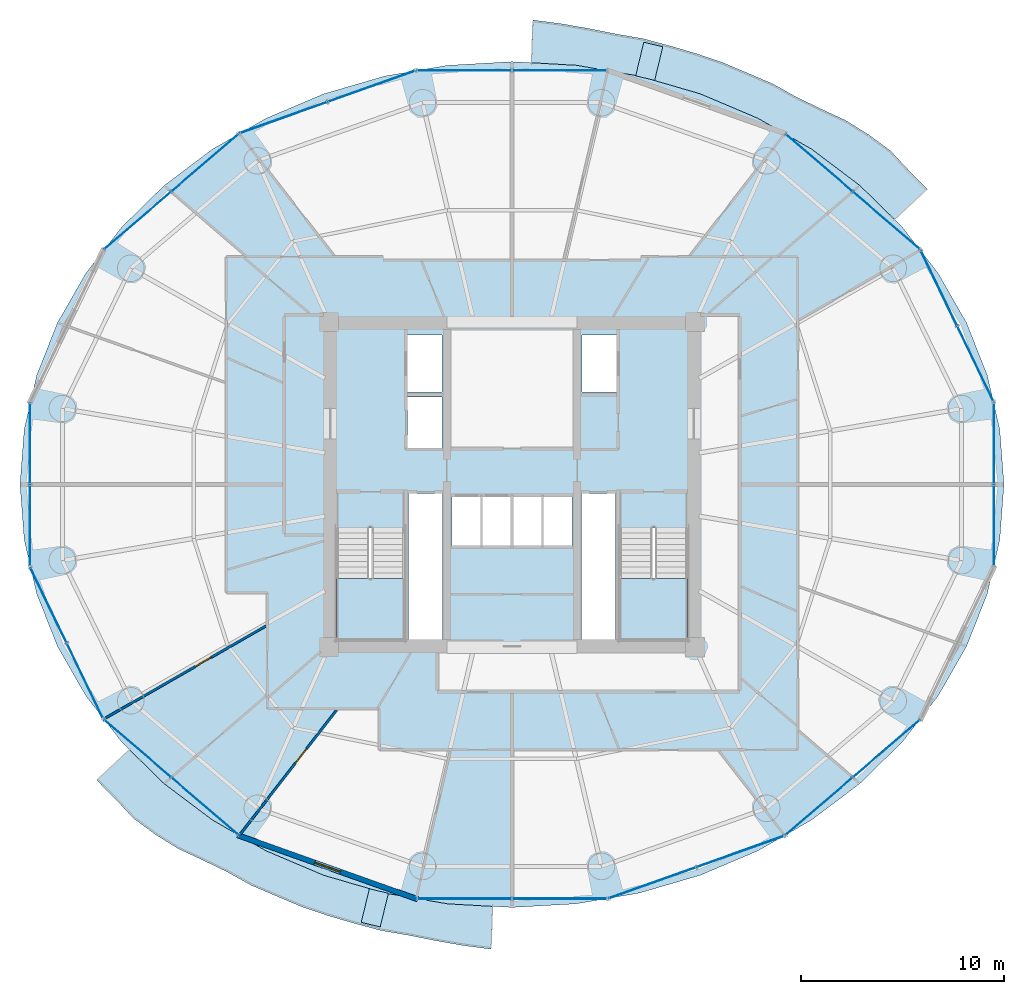
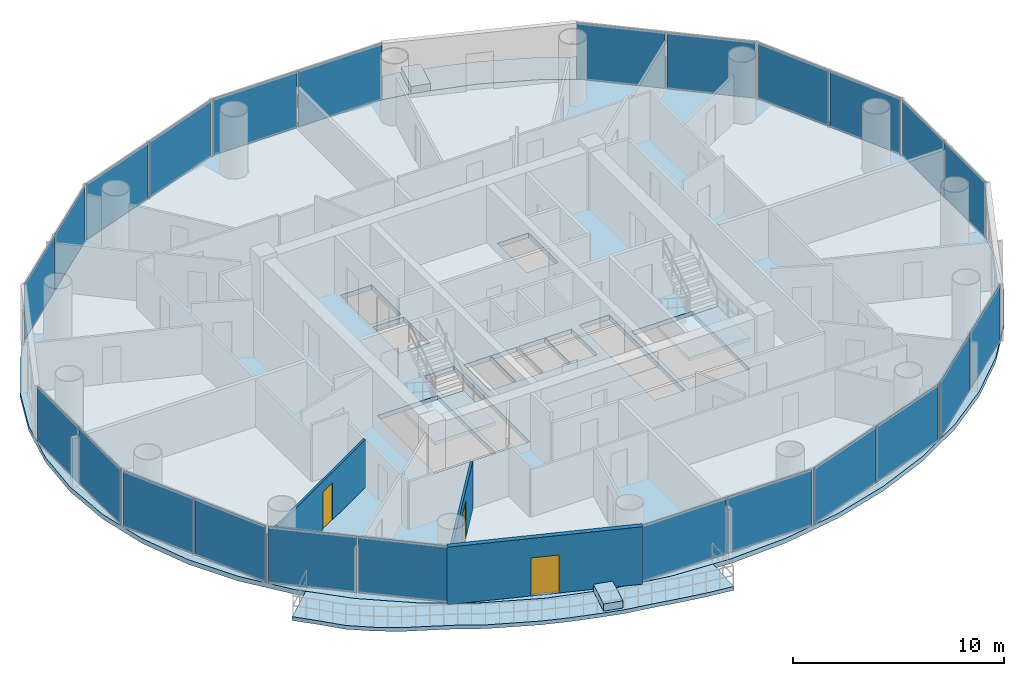
# One storey, part 20 of 27: 24 plates, 7 slabs, 3 doors, 3 walls, 3 openings, 14 elements without a shape of their own.
"""IFC4 building model written with IfcOpenShell, lengths in metres."""

from ifc_helpers import new_model, si_unit, direction, frame, frame_2d, origin, origin_2d, place, context, subcontext, project, spatial, polyline, rectangle, outline, extrude, source, transform, mapped, material, layer, layer_set, type_object, element, fill, aggregate, save


model = new_model("IFC4")

# Units and contexts
model_context = context("Model", 3, precision=1e-05, world=origin(), true_north=direction((-0.2419218956, 0.970295726276)))
body_context = subcontext(model_context, "Body", "Model", "MODEL_VIEW")
ifc_project = project(units=[si_unit("LENGTHUNIT", "METRE"), si_unit("AREAUNIT", "SQUARE_METRE"), si_unit("VOLUMEUNIT", "CUBIC_METRE"), si_unit("PLANEANGLEUNIT", "RADIAN"), si_unit("MASSUNIT", "GRAM", prefix="KILO")], contexts=[model_context])

# Site, building, storey
site_placement = place(None, origin())
site = spatial("IfcSite", under=ifc_project, at=site_placement, CompositionType="ELEMENT")
building_placement = place(site_placement, origin())
building = spatial("IfcBuilding", under=site, at=building_placement, Name="Cobrevalo Terracotta Tower", CompositionType="ELEMENT")
storey_placement = place(building_placement, frame((0.0, 0.0, 157.0)))
storey = spatial("IfcBuildingStorey", under=building, at=storey_placement, Name="L41", CompositionType="ELEMENT", Elevation=157.0)

# Stair, slab
ifc_material_1 = material(Name="Concrete C50", Category="concrete")
stair_type = type_object("IfcStairType", Name="Core protected escape dogleg stair 1600", PredefinedType="HALF_TURN_STAIR", material=ifc_material_1)
stair_1_placement = place(storey_placement, origin())
stair_1 = element("IfcStair", 1, at=stair_1_placement, inside=storey, type_object=stair_type, Name="L41 Protected exit stair ST-1", PredefinedType="HALF_TURN_STAIR")
ifc_layer_1 = layer(ifc_material_1, 0.199951171875)
ifc_layer_set_1 = layer_set([ifc_layer_1], Name="Concrete C50")
slab_type_1 = type_object("IfcSlabType", Name="Reinforced Concrete Stair Landing 200", PredefinedType="LANDING", material=ifc_layer_set_1)
slab_1_placement = place(storey_placement, frame((0.0, 0.0, 1.60009765625)))
slab_1 = element("IfcSlab", 2, at=slab_1_placement, type_object=slab_type_1, Name="ST-1 landing 1", PredefinedType="LANDING", context=body_context, shape_type="SweptSolid", body=[
    extrude(outline(polyline([(29.375, 22.179931640625), (29.375, 19.175048828125), (32.695068359375, 19.175048828125), (32.695068359375, 22.179931640625), (29.375, 22.179931640625)])), origin(), (0.0, 0.0, 1.0), 0.199951171875),
])
aggregate(stair_1, [slab_1])

stair_2_placement = place(storey_placement, origin())
stair_2 = element("IfcStair", 3, at=stair_2_placement, inside=storey, type_object=stair_type, Name="L41 Protected exit stair ST-2", PredefinedType="HALF_TURN_STAIR")
slab_2_placement = place(storey_placement, frame((0.0, 0.0, 1.60009765625)))
slab_2 = element("IfcSlab", 4, at=slab_2_placement, type_object=slab_type_1, Name="ST-2 landing 1", PredefinedType="LANDING", context=body_context, shape_type="SweptSolid", body=[
    extrude(outline(polyline([(43.304931640625, 22.179931640625), (43.304931640625, 19.175048828125), (46.625, 19.175048828125), (46.625, 22.179931640625), (43.304931640625, 22.179931640625)])), origin(), (0.0, 0.0, 1.0), 0.199951171875),
])
aggregate(stair_2, [slab_2])

# Slabs
ifc_material_2 = material(Name="Concrete C45", Category="concrete")
ifc_layer_2 = layer(ifc_material_2, 0.219970703125)
ifc_layer_set_2 = layer_set([ifc_layer_2], Name="Concrete C45")
slab_type_2 = type_object("IfcSlabType", Name="Spiralling cantilevered balcony lobe slab 220 mm", PredefinedType="FLOOR", material=ifc_layer_set_2)
slab_3_placement = place(storey_placement, frame((0.0, 0.0, -0.219970703125)))
element("IfcSlab", 5, at=slab_3_placement, inside=storey, type_object=slab_type_2, Name="L41 spiralling arc balcony slab lobe 1", PredefinedType="FLOOR", context=body_context, shape_type="SweptSolid", body=[
    extrude(outline(polyline([(58.435302734375, 41.33154296875), (57.51220703125, 42.260986328125), (56.614501953125, 43.219970703125), (55.5419921875, 44.01171875), (54.41064453125, 44.7138671875), (53.193603515625, 45.279296875), (51.990966796875, 45.860595703125), (50.83154296875, 46.509521484375), (49.593017578125, 47.03759765625), (48.353759765625, 47.561279296875), (47.073974609375, 47.99755859375), (45.76904296875, 48.37890625), (44.45654296875, 48.73291015625), (43.107177734375, 48.9658203125), (41.7626953125, 49.234375), (40.40478515625, 49.472412109375), (39.029541015625, 49.65087890625), (38.957763671875, 47.548095703125), (41.158935546875, 47.424072265625), (44.263916015625, 46.893310546875), (47.26171875, 46.0185546875), (50.10107421875, 44.81494140625), (52.733154296875, 43.30322265625), (55.11328125, 41.50927734375), (56.829345703125, 39.827392578125), (58.435302734375, 41.33154296875)])), origin(), (0.0, 0.0, 1.0), 0.219970703125),
])
slab_4_placement = place(storey_placement, frame((0.0, 0.0, -0.219970703125)))
element("IfcSlab", 6, at=slab_4_placement, inside=storey, type_object=slab_type_2, Name="L41 spiralling arc balcony slab lobe 2", PredefinedType="FLOOR", context=body_context, shape_type="SweptSolid", body=[
    extrude(outline(polyline([(17.564697265625, 12.2685546875), (18.48779296875, 11.339111328125), (19.385498046875, 10.380126953125), (20.4580078125, 9.588134765625), (21.58935546875, 8.88623046875), (22.806396484375, 8.32080078125), (24.009033203125, 7.739501953125), (25.16845703125, 7.090576171875), (26.406982421875, 6.5625), (27.646240234375, 6.038818359375), (28.926025390625, 5.602294921875), (30.23095703125, 5.22119140625), (31.54345703125, 4.8671875), (32.892822265625, 4.63427734375), (34.2373046875, 4.365478515625), (35.59521484375, 4.12744140625), (36.970458984375, 3.94921875), (37.042236328125, 6.052001953125), (34.841064453125, 6.176025390625), (31.736083984375, 6.706787109375), (28.73828125, 7.58154296875), (25.89892578125, 8.784912109375), (23.266845703125, 10.296630859375), (20.88671875, 12.0908203125), (19.170654296875, 13.772705078125), (17.564697265625, 12.2685546875)])), origin(), (0.0, 0.0, 1.0), 0.219970703125),
])
ifc_material_3 = material(Name="Precast concrete C45", Category="concrete")
ifc_layer_3 = layer(ifc_material_3, 0.419921875)
ifc_layer_set_3 = layer_set([ifc_layer_3], Name="Precast concrete C45")
slab_type_3 = type_object("IfcSlabType", Name="Structural tree planter trough base 420 mm", PredefinedType="USERDEFINED", material=ifc_layer_set_3)
slab_5_placement = place(storey_placement, origin())
element("IfcSlab", 7, at=slab_5_placement, inside=storey, type_object=slab_type_3, Name="L41 structural tree planter trough 1", ObjectType="PLANTER", PredefinedType="USERDEFINED", context=body_context, shape_type="SweptSolid", body=[
    extrude(outline(polyline([(45.015869140625, 46.68017578125), (45.41552734375, 48.33251953125), (44.482421875, 48.55810546875), (44.082763671875, 46.90576171875), (45.015869140625, 46.68017578125)])), origin(), (0.0, 0.0, 1.0), 0.419921875),
])
slab_6_placement = place(storey_placement, origin())
element("IfcSlab", 8, at=slab_6_placement, inside=storey, type_object=slab_type_3, Name="L41 structural tree planter trough 2", ObjectType="PLANTER", PredefinedType="USERDEFINED", context=body_context, shape_type="SweptSolid", body=[
    extrude(outline(polyline([(30.984130859375, 6.919921875), (30.58447265625, 5.267578125), (31.517578125, 5.041748046875), (31.917236328125, 6.694091796875), (30.984130859375, 6.919921875)])), origin(), (0.0, 0.0, 1.0), 0.419921875),
])
ifc_layer_4 = layer(ifc_material_1, 0.27001953125)
ifc_layer_set_4 = layer_set([ifc_layer_4], Name="Concrete C50")
slab_type_4 = type_object("IfcSlabType", Name="Zone Z3 elliptical floor plate 270 mm", PredefinedType="FLOOR", material=ifc_layer_set_4)
slab_7_placement = place(storey_placement, frame((0.0, 0.0, -0.27001953125)))
element("IfcSlab", 9, at=slab_7_placement, inside=storey, type_object=slab_type_4, Name="L41 indoor elliptical floor slab", PredefinedType="FLOOR", context=body_context, shape_type="SweptSolid", body=[
    extrude(outline(polyline([(61.992919921875, 24.0849609375), (61.37548828125, 21.41650390625), (60.35791015625, 18.840087890625), (58.957763671875, 16.39990234375), (57.19921875, 14.1376953125), (55.112060546875, 12.09228515625), (52.73193359375, 10.29833984375), (50.10009765625, 8.78662109375), (47.260986328125, 7.583251953125), (44.263427734375, 6.708740234375), (41.15869140625, 6.177978515625), (38.0, 6.0), (34.84130859375, 6.177978515625), (31.736572265625, 6.708740234375), (28.739013671875, 7.583251953125), (25.89990234375, 8.78662109375), (23.26806640625, 10.29833984375), (20.887939453125, 12.09228515625), (18.80078125, 14.1376953125), (17.042236328125, 16.39990234375), (15.64208984375, 18.840087890625), (14.62451171875, 21.41650390625), (14.007080078125, 24.0849609375), (13.800048828125, 26.800048828125), (14.007080078125, 29.514892578125), (14.62451171875, 32.183349609375), (15.64208984375, 34.759765625), (17.042236328125, 37.199951171875), (18.80078125, 39.462158203125), (20.887939453125, 41.5078125), (23.26806640625, 43.3017578125), (25.89990234375, 44.813232421875), (28.739013671875, 46.0166015625), (31.736572265625, 46.891357421875), (34.84130859375, 47.422119140625), (38.0, 47.60009765625), (41.15869140625, 47.422119140625), (44.263427734375, 46.891357421875), (47.260986328125, 46.0166015625), (50.10009765625, 44.813232421875), (52.73193359375, 43.3017578125), (55.112060546875, 41.5078125), (57.19921875, 39.462158203125), (58.957763671875, 37.199951171875), (60.35791015625, 34.759765625), (61.37548828125, 32.183349609375), (61.992919921875, 29.514892578125), (62.199951171875, 26.800048828125), (61.992919921875, 24.0849609375)]), holes=[polyline([(32.695068359375, 19.175048828125), (32.695068359375, 24.659912109375), (29.375, 24.659912109375), (29.375, 19.175048828125), (32.695068359375, 19.175048828125)]), polyline([(34.574951171875, 26.360107421875), (32.919921875, 26.360107421875), (32.919921875, 19.175048828125), (34.574951171875, 19.175048828125), (34.574951171875, 26.360107421875)]), polyline([(36.47998046875, 26.25), (35.050048828125, 26.25), (35.050048828125, 23.800048828125), (36.47998046875, 23.800048828125), (36.47998046875, 26.25)]), polyline([(37.9599609375, 23.800048828125), (37.9599609375, 26.25), (36.530029296875, 26.25), (36.530029296875, 23.800048828125), (37.9599609375, 23.800048828125)]), polyline([(34.550048828125, 28.60009765625), (34.550048828125, 31.10009765625), (32.85009765625, 31.10009765625), (32.85009765625, 28.60009765625), (34.550048828125, 28.60009765625)]), polyline([(34.550048828125, 34.14990234375), (32.85009765625, 34.14990234375), (32.85009765625, 31.35009765625), (34.550048828125, 31.35009765625), (34.550048828125, 34.14990234375)]), polyline([(43.304931640625, 19.175048828125), (46.625, 19.175048828125), (46.625, 24.659912109375), (43.304931640625, 24.659912109375), (43.304931640625, 19.175048828125)]), polyline([(43.080078125, 19.175048828125), (43.080078125, 26.360107421875), (41.425048828125, 26.360107421875), (41.425048828125, 19.175048828125), (43.080078125, 19.175048828125)]), polyline([(39.469970703125, 26.25), (38.0400390625, 26.25), (38.0400390625, 23.800048828125), (39.469970703125, 23.800048828125), (39.469970703125, 26.25)]), polyline([(40.949951171875, 23.800048828125), (40.949951171875, 26.25), (39.52001953125, 26.25), (39.52001953125, 23.800048828125), (40.949951171875, 23.800048828125)]), polyline([(43.14990234375, 31.35009765625), (43.14990234375, 34.14990234375), (41.449951171875, 34.14990234375), (41.449951171875, 31.35009765625), (43.14990234375, 31.35009765625)])]), origin(), (0.0, 0.0, 1.0), 0.27001953125),
])

# Curtain wall, plates
ifc_material_4 = material(Name="Anodized aluminium", Category="aluminium")
curtain_wall_type = type_object("IfcCurtainWallType", Name="Mid-tower high-wind unitised curtain wall CW-U2", PredefinedType="NOTDEFINED", material=ifc_material_4)
curtain_wall_1_placement = place(storey_placement, origin())
curtain_wall_1 = element("IfcCurtainWall", 10, at=curtain_wall_1_placement, inside=storey, type_object=curtain_wall_type, Name="L41 curtain wall CW-L41-S02", PredefinedType="NOTDEFINED")
ifc_material_5 = material(Name="Solar-control low-E double glazing", Category="glass")
ifc_layer_5 = layer(ifc_material_5, 0.028076171875)
ifc_layer_set_5 = layer_set([ifc_layer_5], Name="Solar-control low-E double glazing")
plate_type = type_object("IfcPlateType", Name="Tower solar-control low-E vision glass panel 28 mm", PredefinedType="CURTAIN_PANEL", material=ifc_layer_set_5)
shared_shape_1 = source(origin(), body_context, "Body", "SweptSolid", [
    extrude(rectangle(XDim=4.276123046875, YDim=0.035888671875, at=origin_2d()), origin(), (0.0, 0.0, 1.0), 3.25),
])
plate_1_placement = place(storey_placement, frame((56.414306640625, 39.784912109375, 0.0400390625), z_axis=(0.0, 0.0, 1.0), x_axis=(-0.758436996112, 0.651746363955, 0.0)))
plate_1 = element("IfcPlate", 11, at=plate_1_placement, type_object=plate_type, Name="CW-L41-S02 glazing panel B01", PredefinedType="CURTAIN_PANEL", context=body_context, shape_type="MappedRepresentation", body=[
    mapped(shared_shape_1, transform((0.0, 0.0, 0.0), scale=1.0)),
])
plate_2_placement = place(storey_placement, frame((53.1103515625, 42.6240234375, 0.0400390625), z_axis=(0.0, 0.0, 1.0), x_axis=(-0.758436996112, 0.651746363955, 0.0)))
plate_2 = element("IfcPlate", 12, at=plate_2_placement, type_object=plate_type, Name="CW-L41-S02 glazing panel B02", PredefinedType="CURTAIN_PANEL", context=body_context, shape_type="MappedRepresentation", body=[
    mapped(shared_shape_1, transform((0.0, 0.0, 0.0), scale=1.0)),
])
aggregate(curtain_wall_1, [plate_1, plate_2])

curtain_wall_2_placement = place(storey_placement, origin())
curtain_wall_2 = element("IfcCurtainWall", 13, at=curtain_wall_2_placement, inside=storey, type_object=curtain_wall_type, Name="L41 curtain wall CW-L41-S06", PredefinedType="NOTDEFINED")
plate_3_placement = place(storey_placement, frame((22.8896484375, 42.6240234375, 0.0400390625), z_axis=(0.0, 0.0, 1.0), x_axis=(-0.758436996112, -0.651746363955, 0.0)))
plate_3 = element("IfcPlate", 14, at=plate_3_placement, type_object=plate_type, Name="CW-L41-S06 glazing panel B01", PredefinedType="CURTAIN_PANEL", context=body_context, shape_type="MappedRepresentation", body=[
    mapped(shared_shape_1, transform((0.0, 0.0, 0.0), scale=1.0)),
])
plate_4_placement = place(storey_placement, frame((19.585693359375, 39.784912109375, 0.0400390625), z_axis=(0.0, 0.0, 1.0), x_axis=(-0.758436996112, -0.651746363955, 0.0)))
plate_4 = element("IfcPlate", 15, at=plate_4_placement, type_object=plate_type, Name="CW-L41-S06 glazing panel B02", PredefinedType="CURTAIN_PANEL", context=body_context, shape_type="MappedRepresentation", body=[
    mapped(shared_shape_1, transform((0.0, 0.0, 0.0), scale=1.0)),
])
aggregate(curtain_wall_2, [plate_3, plate_4])

curtain_wall_3_placement = place(storey_placement, origin())
curtain_wall_3 = element("IfcCurtainWall", 16, at=curtain_wall_3_placement, inside=storey, type_object=curtain_wall_type, Name="L41 curtain wall CW-L41-S10", PredefinedType="NOTDEFINED")
plate_5_placement = place(storey_placement, frame((19.585693359375, 13.815185546875, 0.0400390625), z_axis=(0.0, 0.0, 1.0), x_axis=(0.758436996112, -0.651746363955, 0.0)))
plate_5 = element("IfcPlate", 17, at=plate_5_placement, type_object=plate_type, Name="CW-L41-S10 glazing panel B01", PredefinedType="CURTAIN_PANEL", context=body_context, shape_type="MappedRepresentation", body=[
    mapped(shared_shape_1, transform((0.0, 0.0, 0.0), scale=1.0)),
])
plate_6_placement = place(storey_placement, frame((22.8896484375, 10.97607421875, 0.0400390625), z_axis=(0.0, 0.0, 1.0), x_axis=(0.758436996112, -0.651746363955, 0.0)))
plate_6 = element("IfcPlate", 18, at=plate_6_placement, type_object=plate_type, Name="CW-L41-S10 glazing panel B02", PredefinedType="CURTAIN_PANEL", context=body_context, shape_type="MappedRepresentation", body=[
    mapped(shared_shape_1, transform((0.0, 0.0, 0.0), scale=1.0)),
])
aggregate(curtain_wall_3, [plate_5, plate_6])

curtain_wall_4_placement = place(storey_placement, origin())
curtain_wall_4 = element("IfcCurtainWall", 19, at=curtain_wall_4_placement, inside=storey, type_object=curtain_wall_type, Name="L41 curtain wall CW-L41-S14", PredefinedType="NOTDEFINED")
plate_7_placement = place(storey_placement, frame((53.1103515625, 10.97607421875, 0.0400390625), z_axis=(0.0, 0.0, 1.0), x_axis=(0.758436996112, 0.651746363955, 0.0)))
plate_7 = element("IfcPlate", 20, at=plate_7_placement, type_object=plate_type, Name="CW-L41-S14 glazing panel B01", PredefinedType="CURTAIN_PANEL", context=body_context, shape_type="MappedRepresentation", body=[
    mapped(shared_shape_1, transform((0.0, 0.0, 0.0), scale=1.0)),
])
plate_8_placement = place(storey_placement, frame((56.414306640625, 13.815185546875, 0.0400390625), z_axis=(0.0, 0.0, 1.0), x_axis=(0.758436996112, 0.651746363955, 0.0)))
plate_8 = element("IfcPlate", 21, at=plate_8_placement, type_object=plate_type, Name="CW-L41-S14 glazing panel B02", PredefinedType="CURTAIN_PANEL", context=body_context, shape_type="MappedRepresentation", body=[
    mapped(shared_shape_1, transform((0.0, 0.0, 0.0), scale=1.0)),
])
aggregate(curtain_wall_4, [plate_7, plate_8])

curtain_wall_5_placement = place(storey_placement, origin())
curtain_wall_5 = element("IfcCurtainWall", 22, at=curtain_wall_5_placement, inside=storey, type_object=curtain_wall_type, Name="L41 curtain wall CW-L41-S04", PredefinedType="NOTDEFINED")
shared_shape_2 = source(origin(), body_context, "Body", "SweptSolid", [
    extrude(rectangle(XDim=4.59521484375, YDim=0.035888671875, at=origin_2d()), origin(), (0.0, 0.0, 1.0), 3.25),
])
plate_9_placement = place(storey_placement, frame((40.337646484375, 47.1708984375, 0.0400390625), z_axis=(0.0, 0.0, 1.0), x_axis=(-1.0, 0.0, 0.0)))
plate_9 = element("IfcPlate", 23, at=plate_9_placement, type_object=plate_type, Name="CW-L41-S04 glazing panel B01", PredefinedType="CURTAIN_PANEL", context=body_context, shape_type="MappedRepresentation", body=[
    mapped(shared_shape_2, transform((0.0, 0.0, 0.0), scale=1.0)),
])
plate_10_placement = place(storey_placement, frame((35.662353515625, 47.1708984375, 0.0400390625), z_axis=(0.0, 0.0, 1.0), x_axis=(-1.0, 0.0, 0.0)))
plate_10 = element("IfcPlate", 24, at=plate_10_placement, type_object=plate_type, Name="CW-L41-S04 glazing panel B02", PredefinedType="CURTAIN_PANEL", context=body_context, shape_type="MappedRepresentation", body=[
    mapped(shared_shape_2, transform((0.0, 0.0, 0.0), scale=1.0)),
])
aggregate(curtain_wall_5, [plate_9, plate_10])

curtain_wall_6_placement = place(storey_placement, origin())
curtain_wall_6 = element("IfcCurtainWall", 25, at=curtain_wall_6_placement, inside=storey, type_object=curtain_wall_type, Name="L41 curtain wall CW-L41-S12", PredefinedType="NOTDEFINED")
plate_11_placement = place(storey_placement, frame((35.662353515625, 6.42919921875, 0.0400390625), z_axis=(0.0, 0.0, 1.0), x_axis=(1.0, 0.0, 0.0)))
plate_11 = element("IfcPlate", 26, at=plate_11_placement, type_object=plate_type, Name="CW-L41-S12 glazing panel B01", PredefinedType="CURTAIN_PANEL", context=body_context, shape_type="MappedRepresentation", body=[
    mapped(shared_shape_2, transform((0.0, 0.0, 0.0), scale=1.0)),
])
plate_12_placement = place(storey_placement, frame((40.337646484375, 6.42919921875, 0.0400390625), z_axis=(0.0, 0.0, 1.0), x_axis=(1.0, 0.0, 0.0)))
plate_12 = element("IfcPlate", 27, at=plate_12_placement, type_object=plate_type, Name="CW-L41-S12 glazing panel B02", PredefinedType="CURTAIN_PANEL", context=body_context, shape_type="MappedRepresentation", body=[
    mapped(shared_shape_2, transform((0.0, 0.0, 0.0), scale=1.0)),
])
aggregate(curtain_wall_6, [plate_11, plate_12])

curtain_wall_7_placement = place(storey_placement, origin())
curtain_wall_7 = element("IfcCurtainWall", 28, at=curtain_wall_7_placement, inside=storey, type_object=curtain_wall_type, Name="L41 curtain wall CW-L41-S01", PredefinedType="NOTDEFINED")
shared_shape_3 = source(origin(), body_context, "Body", "SweptSolid", [
    extrude(rectangle(XDim=4.035888671875, YDim=0.035888671875, at=origin_2d()), origin(), (0.0, 0.0, 1.0), 3.25),
])
plate_13_placement = place(storey_placement, frame((60.794677734375, 32.741943359375, 0.0400390625), z_axis=(0.0, 0.0, 1.0), x_axis=(-0.434209440271, 0.900811945957, 0.0)))
plate_13 = element("IfcPlate", 29, at=plate_13_placement, type_object=plate_type, Name="CW-L41-S01 glazing panel B01", PredefinedType="CURTAIN_PANEL", context=body_context, shape_type="MappedRepresentation", body=[
    mapped(shared_shape_3, transform((0.0, 0.0, 0.0), scale=1.0)),
])
plate_14_placement = place(storey_placement, frame((59.007568359375, 36.449462890625, 0.0400390625), z_axis=(0.0, 0.0, 1.0), x_axis=(-0.434209440271, 0.900811945957, 0.0)))
plate_14 = element("IfcPlate", 30, at=plate_14_placement, type_object=plate_type, Name="CW-L41-S01 glazing panel B02", PredefinedType="CURTAIN_PANEL", context=body_context, shape_type="MappedRepresentation", body=[
    mapped(shared_shape_3, transform((0.0, 0.0, 0.0), scale=1.0)),
])
aggregate(curtain_wall_7, [plate_13, plate_14])

curtain_wall_8_placement = place(storey_placement, origin())
curtain_wall_8 = element("IfcCurtainWall", 31, at=curtain_wall_8_placement, inside=storey, type_object=curtain_wall_type, Name="L41 curtain wall CW-L41-S09", PredefinedType="NOTDEFINED")
plate_15_placement = place(storey_placement, frame((15.205322265625, 20.858154296875, 0.0400390625), z_axis=(0.0, 0.0, 1.0), x_axis=(0.434209440271, -0.900811945957, 0.0)))
plate_15 = element("IfcPlate", 32, at=plate_15_placement, type_object=plate_type, Name="CW-L41-S09 glazing panel B01", PredefinedType="CURTAIN_PANEL", context=body_context, shape_type="MappedRepresentation", body=[
    mapped(shared_shape_3, transform((0.0, 0.0, 0.0), scale=1.0)),
])
plate_16_placement = place(storey_placement, frame((16.992431640625, 17.150634765625, 0.0400390625), z_axis=(0.0, 0.0, 1.0), x_axis=(0.434209440271, -0.900811945957, 0.0)))
plate_16 = element("IfcPlate", 33, at=plate_16_placement, type_object=plate_type, Name="CW-L41-S09 glazing panel B02", PredefinedType="CURTAIN_PANEL", context=body_context, shape_type="MappedRepresentation", body=[
    mapped(shared_shape_3, transform((0.0, 0.0, 0.0), scale=1.0)),
])
aggregate(curtain_wall_8, [plate_15, plate_16])

curtain_wall_9_placement = place(storey_placement, origin())
curtain_wall_9 = element("IfcCurtainWall", 34, at=curtain_wall_9_placement, inside=storey, type_object=curtain_wall_type, Name="L41 curtain wall CW-L41-S08", PredefinedType="NOTDEFINED")
shared_shape_4 = source(origin(), body_context, "Body", "SweptSolid", [
    extrude(rectangle(XDim=3.931884765625, YDim=0.035888671875, at=origin_2d()), origin(), (0.0, 0.0, 1.0), 3.25),
])
plate_17_placement = place(storey_placement, frame((14.29443359375, 28.805908203125, 0.0400390625), z_axis=(0.0, 0.0, 1.0), x_axis=(0.0, -1.0, 0.0)))
plate_17 = element("IfcPlate", 35, at=plate_17_placement, type_object=plate_type, Name="CW-L41-S08 glazing panel B01", PredefinedType="CURTAIN_PANEL", context=body_context, shape_type="MappedRepresentation", body=[
    mapped(shared_shape_4, transform((0.0, 0.0, 0.0), scale=1.0)),
])
plate_18_placement = place(storey_placement, frame((14.29443359375, 24.7939453125, 0.0400390625), z_axis=(0.0, 0.0, 1.0), x_axis=(0.0, -1.0, 0.0)))
plate_18 = element("IfcPlate", 36, at=plate_18_placement, type_object=plate_type, Name="CW-L41-S08 glazing panel B02", PredefinedType="CURTAIN_PANEL", context=body_context, shape_type="MappedRepresentation", body=[
    mapped(shared_shape_4, transform((0.0, 0.0, 0.0), scale=1.0)),
])
aggregate(curtain_wall_9, [plate_17, plate_18])

curtain_wall_10_placement = place(storey_placement, origin())
curtain_wall_10 = element("IfcCurtainWall", 37, at=curtain_wall_10_placement, inside=storey, type_object=curtain_wall_type, Name="L41 curtain wall CW-L41-S16", PredefinedType="NOTDEFINED")
plate_19_placement = place(storey_placement, frame((61.70556640625, 24.7939453125, 0.0400390625), z_axis=(0.0, 0.0, 1.0), x_axis=(0.0, 1.0, 0.0)))
plate_19 = element("IfcPlate", 38, at=plate_19_placement, type_object=plate_type, Name="CW-L41-S16 glazing panel B01", PredefinedType="CURTAIN_PANEL", context=body_context, shape_type="MappedRepresentation", body=[
    mapped(shared_shape_4, transform((0.0, 0.0, 0.0), scale=1.0)),
])
plate_20_placement = place(storey_placement, frame((61.70556640625, 28.805908203125, 0.0400390625), z_axis=(0.0, 0.0, 1.0), x_axis=(0.0, 1.0, 0.0)))
plate_20 = element("IfcPlate", 39, at=plate_20_placement, type_object=plate_type, Name="CW-L41-S16 glazing panel B02", PredefinedType="CURTAIN_PANEL", context=body_context, shape_type="MappedRepresentation", body=[
    mapped(shared_shape_4, transform((0.0, 0.0, 0.0), scale=1.0)),
])
aggregate(curtain_wall_10, [plate_19, plate_20])

curtain_wall_11_placement = place(storey_placement, origin())
curtain_wall_11 = element("IfcCurtainWall", 40, at=curtain_wall_11_placement, inside=storey, type_object=curtain_wall_type, Name="L41 curtain wall CW-L41-S05", PredefinedType="NOTDEFINED")
shared_shape_5 = source(origin(), body_context, "Body", "SweptSolid", [
    extrude(rectangle(XDim=4.504150390625, YDim=0.035888671875, at=origin_2d()), origin(), (0.0, 0.0, 1.0), 3.25),
])
plate_21_placement = place(storey_placement, frame((31.087646484375, 46.388916015625, 0.0400390625), z_axis=(0.0, 0.0, 1.0), x_axis=(-0.942098428897, -0.335336473217, 0.0)))
plate_21 = element("IfcPlate", 41, at=plate_21_placement, type_object=plate_type, Name="CW-L41-S05 glazing panel B01", PredefinedType="CURTAIN_PANEL", context=body_context, shape_type="MappedRepresentation", body=[
    mapped(shared_shape_5, transform((0.0, 0.0, 0.0), scale=1.0)),
])
plate_22_placement = place(storey_placement, frame((26.768798828125, 44.8515625, 0.0400390625), z_axis=(0.0, 0.0, 1.0), x_axis=(-0.942098428897, -0.335336473217, 0.0)))
plate_22 = element("IfcPlate", 42, at=plate_22_placement, type_object=plate_type, Name="CW-L41-S05 glazing panel B02", PredefinedType="CURTAIN_PANEL", context=body_context, shape_type="MappedRepresentation", body=[
    mapped(shared_shape_5, transform((0.0, 0.0, 0.0), scale=1.0)),
])
aggregate(curtain_wall_11, [plate_21, plate_22])

curtain_wall_12_placement = place(storey_placement, origin())
curtain_wall_12 = element("IfcCurtainWall", 43, at=curtain_wall_12_placement, inside=storey, type_object=curtain_wall_type, Name="L41 curtain wall CW-L41-S13", PredefinedType="NOTDEFINED")
plate_23_placement = place(storey_placement, frame((44.912353515625, 7.211181640625, 0.0400390625), z_axis=(0.0, 0.0, 1.0), x_axis=(0.942098428897, 0.335336473217, 0.0)))
plate_23 = element("IfcPlate", 44, at=plate_23_placement, type_object=plate_type, Name="CW-L41-S13 glazing panel B01", PredefinedType="CURTAIN_PANEL", context=body_context, shape_type="MappedRepresentation", body=[
    mapped(shared_shape_5, transform((0.0, 0.0, 0.0), scale=1.0)),
])
plate_24_placement = place(storey_placement, frame((49.231201171875, 8.748291015625, 0.0400390625), z_axis=(0.0, 0.0, 1.0), x_axis=(0.942098428897, 0.335336473217, 0.0)))
plate_24 = element("IfcPlate", 45, at=plate_24_placement, type_object=plate_type, Name="CW-L41-S13 glazing panel B02", PredefinedType="CURTAIN_PANEL", context=body_context, shape_type="MappedRepresentation", body=[
    mapped(shared_shape_5, transform((0.0, 0.0, 0.0), scale=1.0)),
])
aggregate(curtain_wall_12, [plate_23, plate_24])

# Wall, opening, door
ifc_material_6 = material(Name="Autoclaved aerated concrete block", Category="concrete")
ifc_layer_6 = layer(ifc_material_6, 0.260009765625)
ifc_layer_set_6 = layer_set([ifc_layer_6], Name="Autoclaved aerated concrete block")
wall_type_1 = type_object("IfcWallType", Name="Recessed balcony loggia insulated exterior wall 260 mm", PredefinedType="SOLIDWALL", material=ifc_layer_set_6)
wall_1_placement = place(storey_placement, frame((24.49658203125, 9.55712890625, 0.0), z_axis=(0.0, 0.0, 1.0), x_axis=(0.942103604331, -0.335321932934, 0.0)))
wall_1 = element("IfcWall", 46, at=wall_1_placement, inside=storey, type_object=wall_type_1, Name="L41 balcony loggia wall S11", PredefinedType="SOLIDWALL", context=body_context, shape_type="SweptSolid", body=[
    extrude(rectangle(XDim=9.408203125, YDim=0.260009765625, at=frame_2d((4.7041015625, 0.0))), origin(), (0.0, 0.0, 1.0), 3.330078125),
])
opening_1_placement = place(wall_1_placement, frame((4.029052734375, 0.0, 0.0)))
opening_1 = element("IfcOpeningElement", 47, at=opening_1_placement, cuts=wall_1, Name="Opening ED-05", PredefinedType="OPENING", context=body_context, shape_type="SweptSolid", body=[
    extrude(rectangle(XDim=1.35009765625, YDim=2.199951171875, at=frame_2d((0.675048828125, 1.10009765625))), frame((0.0, 0.14013671875, 0.0), z_axis=(0.0, -1.0, 0.0), x_axis=(1.0, 0.0, 0.0)), (0.0, 0.0, 1.0), 0.280029296875),
])
ifc_material_7 = material(Name="Anodized aluminium and laminated glass", Category="aluminium")
door_type_1 = type_object("IfcDoorType", Name="Suite balcony acoustic glazed terrace door 1350x2200", OperationType="NOTDEFINED", PredefinedType="DOOR", material=ifc_material_7)
shared_shape_6 = source(origin(), body_context, "Body", "SweptSolid", [
    extrude(rectangle(XDim=1.35009765625, YDim=2.199951171875, at=frame_2d((0.675048828125, 1.10009765625))), frame((0.0, 0.02490234375, 0.0), z_axis=(0.0, -1.0, 0.0), x_axis=(1.0, 0.0, 0.0)), (0.0, 0.0, 1.0), 0.050048828125),
])
door_1_placement = place(opening_1_placement, frame((1.35009765625, 0.0, 0.0), z_axis=(0.0, 0.0, 1.0), x_axis=(-1.0, 0.0, 0.0)))
door_1 = element("IfcDoor", 48, at=door_1_placement, inside=storey, type_object=door_type_1, Name="L41 glazed balcony terrace door 2", OperationType="SINGLE_SWING_RIGHT", OverallHeight=2.199951171875, OverallWidth=1.35009765625, PredefinedType="DOOR", context=body_context, shape_type="MappedRepresentation", body=[
    mapped(shared_shape_6, transform((0.0, 0.0, 0.0), scale=1.0)),
])
fill(opening_1, door_1)

ifc_material_8 = material(Name="Gypsum board on steel stud", Category="steel")
ifc_layer_7 = layer(ifc_material_8, 0.1201171875)
ifc_layer_set_7 = layer_set([ifc_layer_7], Name="Gypsum board on steel stud")
wall_type_2 = type_object("IfcWallType", Name="Residential internal acoustic stud partition 120 mm", PredefinedType="PARTITIONING", material=ifc_layer_set_7)
wall_2_placement = place(storey_placement, frame((25.9111328125, 19.857421875, 0.0), z_axis=(0.0, 0.0, 1.0), x_axis=(-0.867160939672, -0.498028015986, 0.0)))
wall_2 = element("IfcWall", 49, at=wall_2_placement, inside=storey, type_object=wall_type_2, Name="L41 interior partition IW-L41-U3-ORAD1", PredefinedType="PARTITIONING", context=body_context, shape_type="SweptSolid", body=[
    extrude(rectangle(XDim=9.15234375, YDim=0.1201171875, at=frame_2d((4.576171875, 0.0))), origin(), (0.0, 0.0, 1.0), 2.77587890625),
])
opening_2_placement = place(wall_2_placement, frame((3.1240234375, 0.0, 0.0)))
opening_2 = element("IfcOpeningElement", 50, at=opening_2_placement, cuts=wall_2, Name="Opening ID-12", PredefinedType="OPENING", context=body_context, shape_type="SweptSolid", body=[
    extrude(rectangle(XDim=0.89990234375, YDim=2.14990234375, at=frame_2d((0.449951171875, 1.074951171875))), frame((0.0, 0.070068359375, 0.0), z_axis=(0.0, -1.0, 0.0), x_axis=(1.0, 0.0, 0.0)), (0.0, 0.0, 1.0), 0.14013671875),
])
ifc_material_9 = material(Name="Engineered timber", Category="wood")
door_type_2 = type_object("IfcDoorType", Name="Internal residence & suite timber door 900x2150", OperationType="NOTDEFINED", PredefinedType="DOOR", material=ifc_material_9)
shared_shape_7 = source(origin(), body_context, "Body", "SweptSolid", [
    extrude(rectangle(XDim=0.89990234375, YDim=2.14990234375, at=frame_2d((0.449951171875, 1.074951171875))), frame((0.0, 0.02490234375, 0.0), z_axis=(0.0, -1.0, 0.0), x_axis=(1.0, 0.0, 0.0)), (0.0, 0.0, 1.0), 0.050048828125),
])
door_2_placement = place(opening_2_placement, frame((0.89990234375, 0.0, 0.0), z_axis=(0.0, 0.0, 1.0), x_axis=(-1.0, 0.0, 0.0)))
door_2 = element("IfcDoor", 51, at=door_2_placement, inside=storey, type_object=door_type_2, Name="Flat L41C Penthouse Living and Dining Room internal door", OperationType="SINGLE_SWING_RIGHT", OverallHeight=2.14990234375, OverallWidth=0.89990234375, PredefinedType="DOOR", context=body_context, shape_type="MappedRepresentation", body=[
    mapped(shared_shape_7, transform((0.0, 0.0, 0.0), scale=1.0)),
])
fill(opening_2, door_2)

wall_3_placement = place(storey_placement, frame((29.38330078125, 15.716064453125, 0.0), z_axis=(0.0, 0.0, 1.0), x_axis=(-0.613751061882, -0.789499609904, 0.0)))
wall_3 = element("IfcWall", 52, at=wall_3_placement, inside=storey, type_object=wall_type_2, Name="L41 interior partition IW-L41-U3-ORAD3M1", PredefinedType="PARTITIONING", context=body_context, shape_type="SweptSolid", body=[
    extrude(rectangle(XDim=7.75830078125, YDim=0.1201171875, at=frame_2d((3.879150390625, 0.0))), origin(), (0.0, 0.0, 1.0), 2.77587890625),
])
opening_3_placement = place(wall_3_placement, frame((2.42626953125, 0.0, 0.0)))
opening_3 = element("IfcOpeningElement", 53, at=opening_3_placement, cuts=wall_3, Name="Opening ID-12", PredefinedType="OPENING", context=body_context, shape_type="SweptSolid", body=[
    extrude(rectangle(XDim=0.89990234375, YDim=2.14990234375, at=frame_2d((0.449951171875, 1.074951171875))), frame((0.0, 0.070068359375, 0.0), z_axis=(0.0, -1.0, 0.0), x_axis=(1.0, 0.0, 0.0)), (0.0, 0.0, 1.0), 0.14013671875),
])
door_3_placement = place(opening_3_placement, frame((0.89990234375, 0.0, 0.0), z_axis=(0.0, 0.0, 1.0), x_axis=(-1.0, 0.0, 0.0)))
door_3 = element("IfcDoor", 54, at=door_3_placement, inside=storey, type_object=door_type_2, Name="Flat L41C Principal Guest Bedroom internal door", OperationType="SINGLE_SWING_RIGHT", OverallHeight=2.14990234375, OverallWidth=0.89990234375, PredefinedType="DOOR", context=body_context, shape_type="MappedRepresentation", body=[
    mapped(shared_shape_7, transform((0.0, 0.0, 0.0), scale=1.0)),
])
fill(opening_3, door_3)

save(model, "model.ifc")
